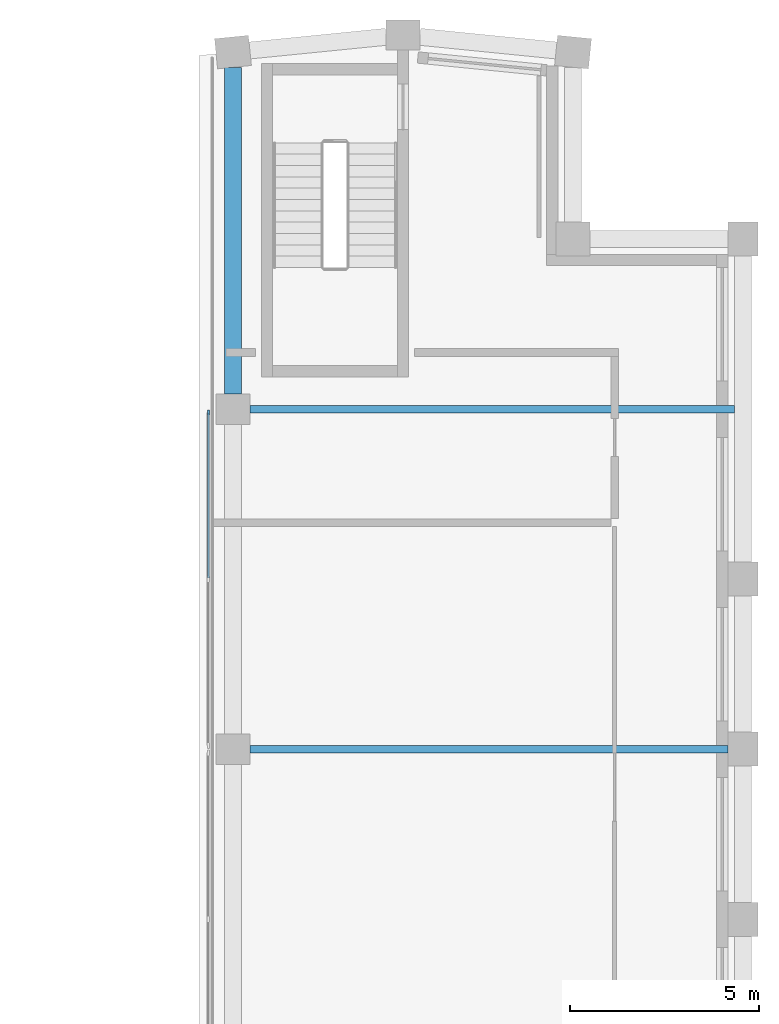
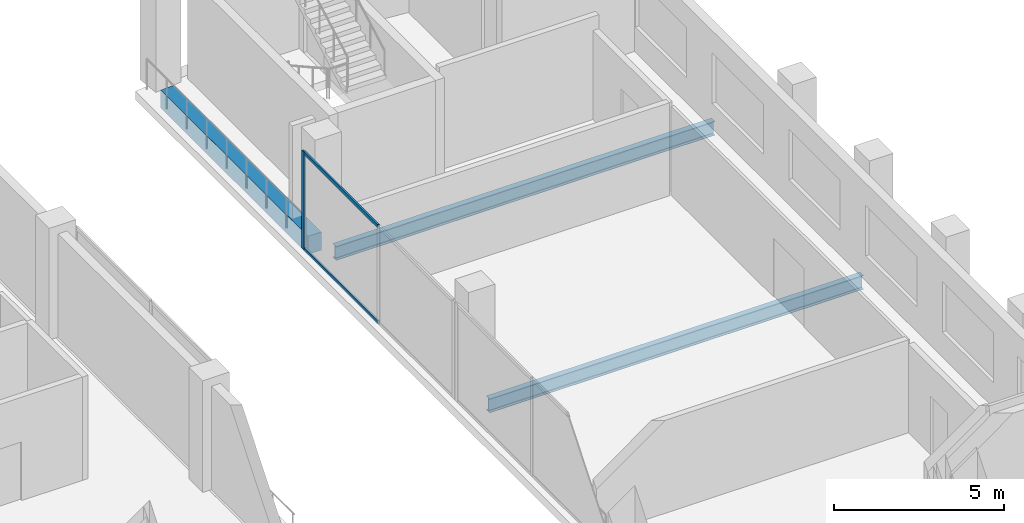
# One storey, part 5 of 9: 3 beams, 3 members, 1 element without a shape of its own.
"""IFC4 building model written with IfcOpenShell, lengths in metres."""

from ifc_helpers import new_model, si_unit, direction, frame, origin, origin_2d, place, context, subcontext, project, spatial, rectangle, i_section, extrude, material, material_profile, profile_set, type_object, element, aggregate, save


model = new_model("IFC4")

# Units and contexts
model_context = context("Model", 3, precision=1e-05, world=origin(), true_north=direction((0.0, 1.0)))
body_context = subcontext(model_context, "Body", "Model", "MODEL_VIEW")
ifc_project = project(units=[si_unit("LENGTHUNIT", "METRE"), si_unit("AREAUNIT", "SQUARE_METRE"), si_unit("VOLUMEUNIT", "CUBIC_METRE"), si_unit("PLANEANGLEUNIT", "RADIAN"), si_unit("MASSUNIT", "GRAM", prefix="KILO")], contexts=[model_context])

# Site, building, storey
site_placement = place(None, origin())
site = spatial("IfcSite", under=ifc_project, at=site_placement, CompositionType="ELEMENT")
building_placement = place(site_placement, origin())
building = spatial("IfcBuilding", under=site, at=building_placement, Name="Brondeck Convention Tower", CompositionType="ELEMENT")
storey_placement = place(building_placement, frame((0.0, 0.0, 286.800048828125)))
storey = spatial("IfcBuildingStorey", under=building, at=storey_placement, Name="L71", CompositionType="ELEMENT", Elevation=286.800048828125)

# Curtain wall, members
ifc_material_1 = material(Name="Aluminium, bronze anodised", Category="aluminium")
curtain_wall_type = type_object("IfcCurtainWallType", Name="Crown screen curtain wall", PredefinedType="NOTDEFINED", material=ifc_material_1)
curtain_wall_placement = place(storey_placement, origin())
curtain_wall = element("IfcCurtainWall", 1, at=curtain_wall_placement, inside=storey, type_object=curtain_wall_type, Name="ENV-CW4-L71-K2-SLOT-E-03", PredefinedType="NOTDEFINED")
ifc_material_profile_1 = material_profile(ifc_material_1, rectangle(XDim=0.06005859375, YDim=0.139892578125, at=origin_2d()), Name="CW4 mullion")
ifc_profile_set_1 = profile_set([ifc_material_profile_1], Name="Aluminium, bronze anodised")
member_type_1 = type_object("IfcMemberType", Name="CW4 mullion", PredefinedType="MULLION", material=ifc_profile_set_1)
member_1_placement = place(storey_placement, frame((21.85009765625, 53.909912109375, 0.0), z_axis=(0.0, 0.0, 1.0), x_axis=(-1.0, 0.0, 0.0)))
member_1 = element("IfcMember", 2, at=member_1_placement, type_object=member_type_1, Name="CW4 mullion 3", PredefinedType="MULLION", context=body_context, shape_type="SweptSolid", body=[
    extrude(rectangle(XDim=0.06005859375, YDim=0.139892578125, at=origin_2d()), origin(), (0.0, 0.0, 1.0), 3.5),
])
ifc_material_profile_2 = material_profile(ifc_material_1, rectangle(XDim=0.06005859375, YDim=0.1201171875, at=origin_2d()), Name="CW4 transom")
ifc_profile_set_2 = profile_set([ifc_material_profile_2], Name="Aluminium, bronze anodised")
member_type_2 = type_object("IfcMemberType", Name="CW4 transom", PredefinedType="USERDEFINED", material=ifc_profile_set_2)
member_2_placement = place(storey_placement, frame((21.85009765625, 49.530029296875, 0.030029296875), z_axis=(0.0, 1.0, 0.0), x_axis=(-1.0, 0.0, 0.0)))
member_2 = element("IfcMember", 3, at=member_2_placement, type_object=member_type_2, Name="CW4 transom 2.1", ObjectType="TRANSOM", PredefinedType="USERDEFINED", context=body_context, shape_type="SweptSolid", body=[
    extrude(rectangle(XDim=0.06005859375, YDim=0.1201171875, at=origin_2d()), origin(), (0.0, 0.0, 1.0), 4.349853515625),
])
member_3_placement = place(storey_placement, frame((21.85009765625, 49.530029296875, 3.469970703125), z_axis=(0.0, 1.0, 0.0), x_axis=(-1.0, 0.0, 0.0)))
member_3 = element("IfcMember", 4, at=member_3_placement, type_object=member_type_2, Name="CW4 transom 2.2", ObjectType="TRANSOM", PredefinedType="USERDEFINED", context=body_context, shape_type="SweptSolid", body=[
    extrude(rectangle(XDim=0.06005859375, YDim=0.1201171875, at=origin_2d()), origin(), (0.0, 0.0, 1.0), 4.349853515625),
])
aggregate(curtain_wall, [member_1, member_2, member_3])

# Beams
ifc_material_2 = material(Name="Steel S355", Category="steel")
ifc_material_profile_3 = material_profile(ifc_material_2, i_section(OverallWidth=0.199951171875, OverallDepth=0.5, WebThickness=0.01025390625, FlangeThickness=0.01611328125, FilletRadius=0.02099609375, at=origin_2d()), Name="IPE 500")
ifc_profile_set_3 = profile_set([ifc_material_profile_3], Name="Steel S355")
beam_type_1 = type_object("IfcBeamType", Name="Crown frame Floor beam IPE 500", PredefinedType="BEAM", material=ifc_profile_set_3)
beam_1_placement = place(storey_placement, frame((22.949951171875, 45.0, -0.550048828125), z_axis=(1.0, 0.0, 0.0), x_axis=(0.0, 1.0, 0.0)))
element("IfcBeam", 5, at=beam_1_placement, inside=storey, type_object=beam_type_1, Name="STR-FB-L71K2-002", PredefinedType="BEAM", context=body_context, shape_type="SweptSolid", body=[
    extrude(i_section(OverallWidth=0.199951171875, OverallDepth=0.5, WebThickness=0.01025390625, FlangeThickness=0.01611328125, FilletRadius=0.02099609375, at=origin_2d()), origin(), (0.0, 0.0, 1.0), 12.650146484375),
])
beam_2_placement = place(storey_placement, frame((22.949951171875, 54.0, -0.550048828125), z_axis=(1.0, 0.0, 0.0), x_axis=(0.0, 1.0, 0.0)))
element("IfcBeam", 6, at=beam_2_placement, inside=storey, type_object=beam_type_1, Name="STR-FB-L71K2-003", PredefinedType="BEAM", context=body_context, shape_type="SweptSolid", body=[
    extrude(i_section(OverallWidth=0.199951171875, OverallDepth=0.5, WebThickness=0.01025390625, FlangeThickness=0.01611328125, FilletRadius=0.02099609375, at=origin_2d()), origin(), (0.0, 0.0, 1.0), 12.824951171875),
])
ifc_material_3 = material(Name="Concrete C50/60", Category="concrete")
ifc_material_profile_4 = material_profile(ifc_material_3, rectangle(XDim=0.449951171875, YDim=0.64990234375, at=origin_2d()), Name="Precast spandrel 450x650 Concrete C50/60")
ifc_profile_set_4 = profile_set([ifc_material_profile_4], Name="Concrete C50/60")
beam_type_2 = type_object("IfcBeamType", Name="Precast spandrel 450x650 Concrete C50/60", PredefinedType="SPANDREL", material=ifc_profile_set_4)
beam_3_placement = place(storey_placement, frame((22.5, 63.048095703125, -0.324951171875), z_axis=(0.0, -1.0, 0.0), x_axis=(1.0, 0.0, 0.0)))
element("IfcBeam", 7, at=beam_3_placement, inside=storey, type_object=beam_type_2, Name="STR-SP-L71K2-014", PredefinedType="SPANDREL", context=body_context, shape_type="SweptSolid", body=[
    extrude(rectangle(XDim=0.449951171875, YDim=0.64990234375, at=origin_2d()), origin(), (0.0, 0.0, 1.0), 8.648193359375),
])

save(model, "model.ifc")
